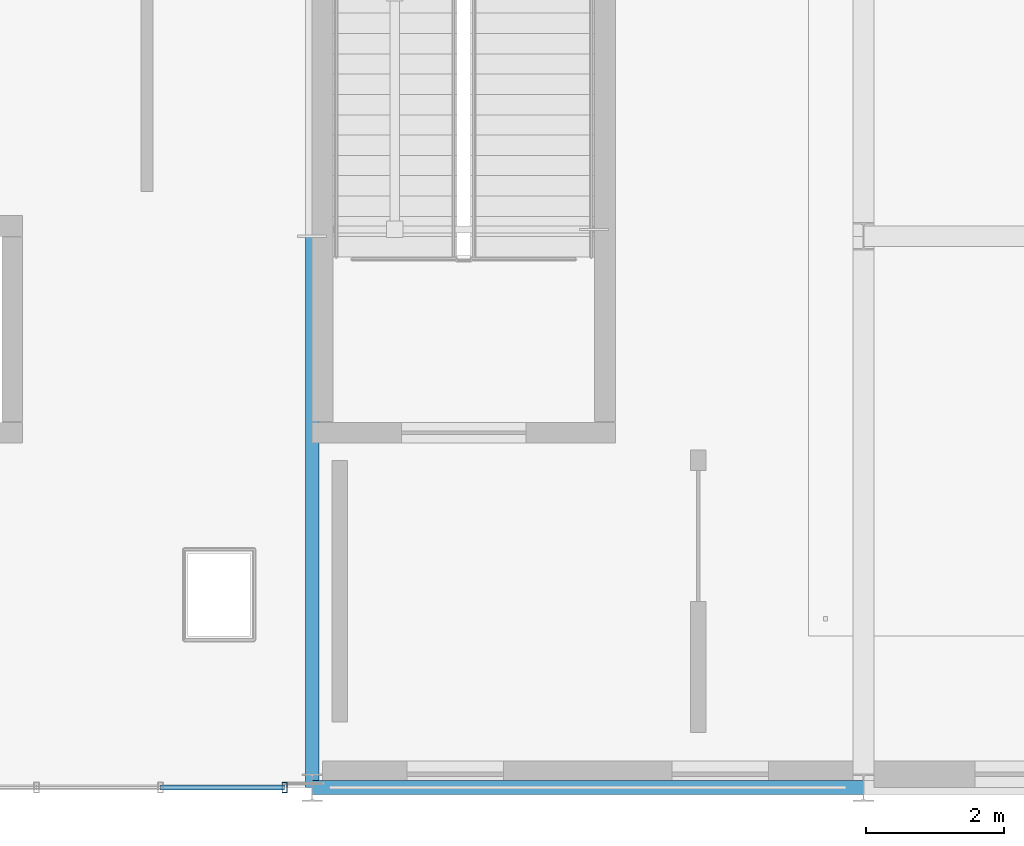
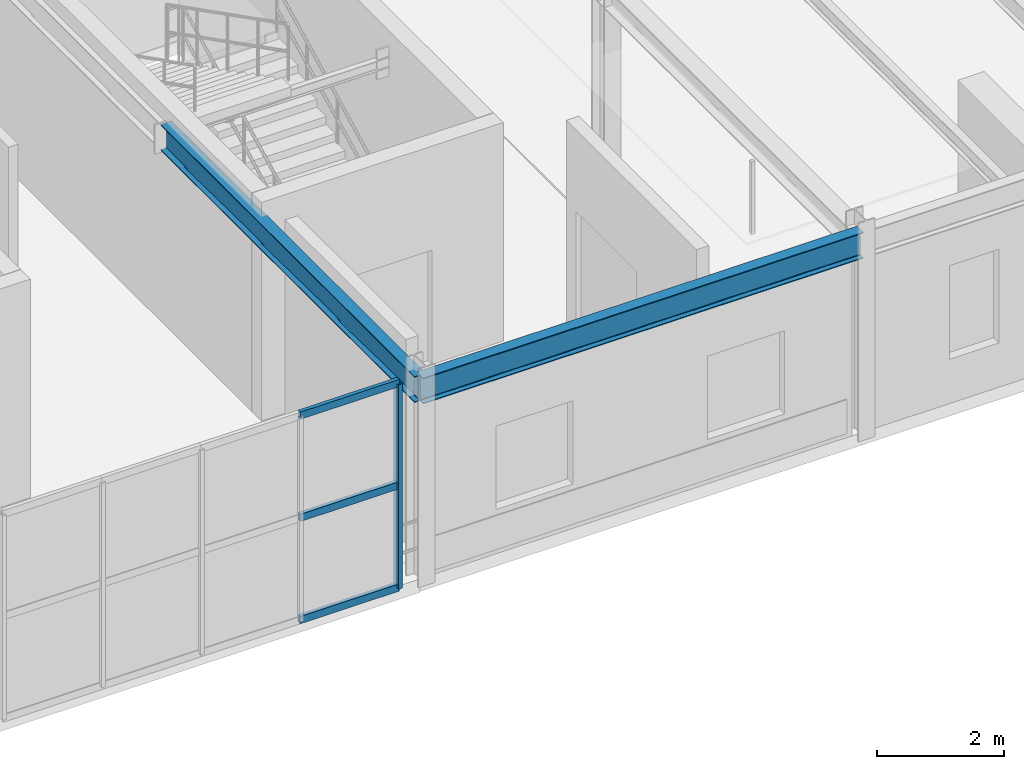
# One storey, part 16 of 67: 4 members, 2 beams, 1 element without a shape of its own.
"""IFC4 building model written with IfcOpenShell, lengths in metres."""

from ifc_helpers import new_model, si_unit, direction, frame, origin, origin_2d, place, context, subcontext, project, spatial, hollow_rectangle, i_section, extrude, material, material_profile, profile_set, type_object, element, aggregate, save


model = new_model("IFC4")

# Units and contexts
model_context = context("Model", 3, precision=1e-05, world=origin(), true_north=direction((0.0, 1.0)))
body_context = subcontext(model_context, "Body", "Model", "MODEL_VIEW")
ifc_project = project(units=[si_unit("LENGTHUNIT", "METRE"), si_unit("AREAUNIT", "SQUARE_METRE"), si_unit("VOLUMEUNIT", "CUBIC_METRE"), si_unit("PLANEANGLEUNIT", "RADIAN"), si_unit("MASSUNIT", "GRAM", prefix="KILO")], contexts=[model_context])

# Site, building, storey
site_placement = place(None, origin())
site = spatial("IfcSite", under=ifc_project, at=site_placement, CompositionType="ELEMENT")
building_placement = place(site_placement, origin())
building = spatial("IfcBuilding", under=site, at=building_placement, Name="Sundkrona Museum", CompositionType="ELEMENT")
storey_placement = place(building_placement, frame((0.0, 0.0, 21.800048828125)))
storey = spatial("IfcBuildingStorey", under=building, at=storey_placement, Name="L04", CompositionType="ELEMENT", Elevation=21.800048828125)

# Curtain wall, member
ifc_material_1 = material(Name="Unitised Aluminium-Steel and Ceramic-Clad Curtain Walling", Category="steel")
curtain_wall_type = type_object("IfcCurtainWallType", Name="CW-AT-72x38", PredefinedType="NOTDEFINED", material=ifc_material_1)
curtain_wall_placement = place(storey_placement, origin())
curtain_wall = element("IfcCurtainWall", 1, at=curtain_wall_placement, inside=storey, type_object=curtain_wall_type, Name="L04 Curtain Wall CW-L04-081", PredefinedType="NOTDEFINED")
ifc_material_2 = material(Name="Aluminium EN AW-6060 T66", Category="aluminium")
ifc_material_profile_1 = material_profile(ifc_material_2, hollow_rectangle(XDim=0.074951171875, YDim=0.14990234375, WallThickness=0.00634765625, at=origin_2d()), Name="RHS 150x75x6.3")
ifc_profile_set_1 = profile_set([ifc_material_profile_1], Name="Aluminium EN AW-6060 T66")
member_type_1 = type_object("IfcMemberType", Name="ML-150", PredefinedType="MULLION", material=ifc_profile_set_1)
member_1_placement = place(storey_placement, frame((119.60009765625, 0.0, -0.004150390625), z_axis=(0.0, 0.0, 1.0), x_axis=(1.0, 0.0, 0.0)))
member_1 = element("IfcMember", 2, at=member_1_placement, type_object=member_type_1, Name="CW-L04-081 Mullion 05", PredefinedType="MULLION", context=body_context, shape_type="SweptSolid", body=[
    extrude(hollow_rectangle(XDim=0.074951171875, YDim=0.14990234375, WallThickness=0.00634765625, at=origin_2d()), origin(), (0.0, 0.0, 1.0), 3.92822265625),
])

# Beams
ifc_material_3 = material(Name="Steel S355J2", Category="steel")
ifc_material_profile_2 = material_profile(ifc_material_3, i_section(OverallWidth=0.199951171875, OverallDepth=0.5, WebThickness=0.01025390625, FlangeThickness=0.01611328125, FilletRadius=0.02099609375, at=origin_2d()), Name="IPE 500")
ifc_profile_set_2 = profile_set([ifc_material_profile_2], Name="Steel S355J2")
beam_type = type_object("IfcBeamType", Name="SP-IPE500", PredefinedType="SPANDREL", material=ifc_profile_set_2)
for number, where, z_axis, x_axis, name in (
    (3, (120.0, 0.0, 3.669921875), (1.0, 0.0, 0.0), (0.0, 1.0, 0.0), "L04 Girder X-1703"),
    (4, (120.0, 0.0, 3.669921875), (0.0, 1.0, 0.0), (-1.0, 0.0, 0.0), "L04 Girder Y-1738"),
):
    element("IfcBeam", number, at=place(storey_placement, frame(where, z_axis=z_axis, x_axis=x_axis)), inside=storey, type_object=beam_type, Name=name, PredefinedType="SPANDREL", context=body_context, shape_type="SweptSolid", body=[
        extrude(i_section(OverallWidth=0.199951171875, OverallDepth=0.5, WebThickness=0.01025390625, FlangeThickness=0.01611328125, FilletRadius=0.02099609375, at=origin_2d()), origin(), (0.0, 0.0, 1.0), 8.0),
    ])

# Member
ifc_material_profile_3 = material_profile(ifc_material_2, hollow_rectangle(XDim=0.070068359375, YDim=0.139892578125, WallThickness=0.0048828125, at=origin_2d()), Name="RHS 140x70x5.0")
ifc_profile_set_3 = profile_set([ifc_material_profile_3], Name="Aluminium EN AW-6060 T66")
member_type_2 = type_object("IfcMemberType", Name="TR-140", PredefinedType="USERDEFINED", material=ifc_profile_set_3)
member_2_placement = place(storey_placement, frame((117.800048828125, 0.0, -0.004150390625), z_axis=(1.0, 0.0, 0.0), x_axis=(0.0, 1.0, 0.0)))
member_2 = element("IfcMember", 5, at=member_2_placement, type_object=member_type_2, Name="CW-L04-081 Transom 10", ObjectType="TRANSOM", PredefinedType="USERDEFINED", context=body_context, shape_type="SweptSolid", body=[
    extrude(hollow_rectangle(XDim=0.070068359375, YDim=0.139892578125, WallThickness=0.0048828125, at=origin_2d()), origin(), (0.0, 0.0, 1.0), 1.800048828125),
])

member_3_placement = place(storey_placement, frame((117.800048828125, 0.0, 1.9599609375), z_axis=(1.0, 0.0, 0.0), x_axis=(0.0, 1.0, 0.0)))
member_3 = element("IfcMember", 6, at=member_3_placement, type_object=member_type_2, Name="CW-L04-081 Transom 11", ObjectType="TRANSOM", PredefinedType="USERDEFINED", context=body_context, shape_type="SweptSolid", body=[
    extrude(hollow_rectangle(XDim=0.070068359375, YDim=0.139892578125, WallThickness=0.0048828125, at=origin_2d()), origin(), (0.0, 0.0, 1.0), 1.800048828125),
])

member_4_placement = place(storey_placement, frame((117.800048828125, 0.0, 3.924072265625), z_axis=(1.0, 0.0, 0.0), x_axis=(0.0, 1.0, 0.0)))
member_4 = element("IfcMember", 7, at=member_4_placement, type_object=member_type_2, Name="CW-L04-081 Transom 12", ObjectType="TRANSOM", PredefinedType="USERDEFINED", context=body_context, shape_type="SweptSolid", body=[
    extrude(hollow_rectangle(XDim=0.070068359375, YDim=0.139892578125, WallThickness=0.0048828125, at=origin_2d()), origin(), (0.0, 0.0, 1.0), 1.800048828125),
])

aggregate(curtain_wall, [member_1, member_2, member_3, member_4])

save(model, "model.ifc")
